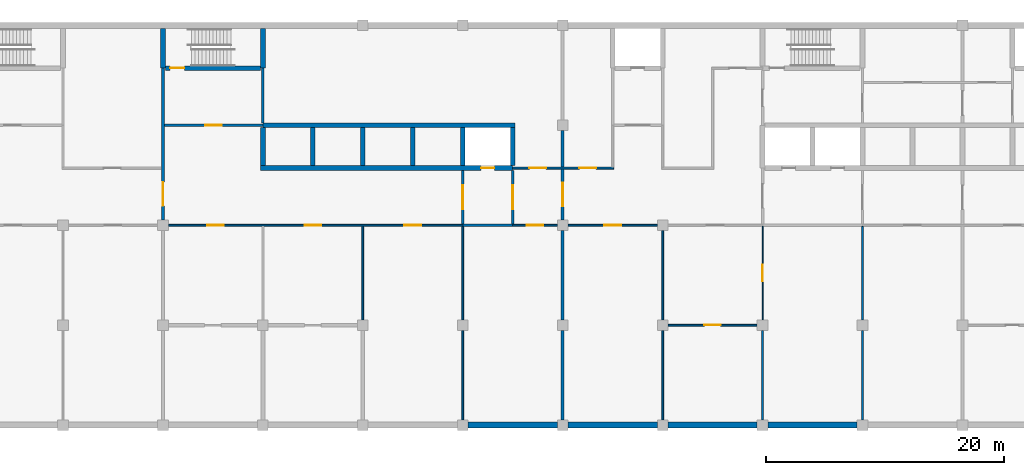
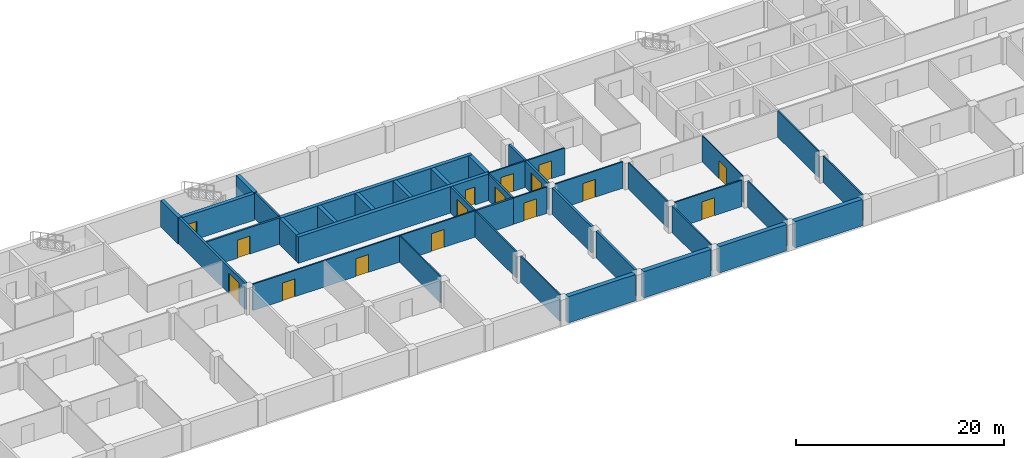
# One storey, part 4 of 12: 39 walls, 16 doors, 16 openings.
"""IFC4 building model written with IfcOpenShell, lengths in metres."""

from ifc_helpers import new_model, si_unit, direction, frame, frame_2d, origin, place, context, subcontext, project, spatial, rectangle, extrude, material, layer, layer_set, type_object, element, fill, save


model = new_model("IFC4")

# Units and contexts
model_context = context("Model", 3, precision=1e-05, world=origin(), true_north=direction((0.0, 1.0)))
body_context = subcontext(model_context, "Body", "Model", "MODEL_VIEW")
ifc_project = project(units=[si_unit("LENGTHUNIT", "METRE"), si_unit("AREAUNIT", "SQUARE_METRE"), si_unit("VOLUMEUNIT", "CUBIC_METRE"), si_unit("PLANEANGLEUNIT", "RADIAN"), si_unit("MASSUNIT", "GRAM", prefix="KILO")], contexts=[model_context])

# Site, building, storey
site_placement = place(None, origin())
site = spatial("IfcSite", under=ifc_project, at=site_placement, CompositionType="ELEMENT")
building_placement = place(site_placement, origin())
building = spatial("IfcBuilding", under=site, at=building_placement, Name="Yavir Park General Hospital", CompositionType="ELEMENT")
storey_placement = place(building_placement, frame((0.0, 0.0, -7.800048828125)))
storey = spatial("IfcBuildingStorey", under=building, at=storey_placement, Name="B2", CompositionType="ELEMENT", Elevation=-7.800048828125)

# Wall, opening, door
ifc_material_1 = material(Name="Concrete C30/37", Category="concrete")
ifc_layer_1 = layer(ifc_material_1, 0.25)
ifc_layer_set_1 = layer_set([ifc_layer_1], Name="Concrete C30/37")
wall_type_1 = type_object("IfcWallType", Name="Compartment fire wall 250, REI 150", PredefinedType="SOLIDWALL", material=ifc_layer_set_1)
wall_1_placement = place(storey_placement, frame((67.199951171875, 17.25, 0.0), z_axis=(0.0, 0.0, 1.0), x_axis=(0.0, 1.0, 0.0)))
wall_1 = element("IfcWall", 1, at=wall_1_placement, inside=storey, type_object=wall_type_1, Name="FW25 B2-091", PredefinedType="SOLIDWALL", context=body_context, shape_type="SweptSolid", body=[
    extrude(rectangle(XDim=12.75, YDim=0.25, at=frame_2d((6.375, 0.0))), origin(), (0.0, 0.0, 1.0), 3.10009765625),
])
opening_1_placement = place(wall_1_placement, frame((1.175048828125, 0.0, 0.0)))
opening_1 = element("IfcOpeningElement", 2, at=opening_1_placement, cuts=wall_1, Name="Opening B2.D060", PredefinedType="OPENING", context=body_context, shape_type="SweptSolid", body=[
    extrude(rectangle(XDim=2.0, YDim=2.39990234375, at=frame_2d((1.0, 1.199951171875))), frame((0.0, 0.135009765625, 0.0), z_axis=(0.0, -1.0, 0.0), x_axis=(1.0, 0.0, 0.0)), (0.0, 0.0, 1.0), 0.27001953125),
])
ifc_material_2 = material(Name="Steel frame, fire-resisting leaves with vision panels", Category="steel")
door_type_1 = type_object("IfcDoorType", Name="Double fire door with vision panels 2000 x 2400, EI 60", OperationType="DOUBLE_DOOR_SINGLE_SWING", PredefinedType="DOOR", material=ifc_material_2)
door_1_placement = place(opening_1_placement, origin())
door_1 = element("IfcDoor", 3, at=door_1_placement, inside=storey, type_object=door_type_1, Name="B2.D060", OperationType="SINGLE_SWING_LEFT", OverallHeight=2.39990234375, OverallWidth=2.0, PredefinedType="DOOR", context=body_context, shape_type="SweptSolid", body=[
    extrude(rectangle(XDim=2.0, YDim=2.39990234375, at=frame_2d((1.0, 1.199951171875))), frame((0.0, 0.030029296875, 0.0), z_axis=(0.0, -1.0, 0.0), x_axis=(1.0, 0.0, 0.0)), (0.0, 0.0, 1.0), 0.06005859375),
])
fill(opening_1, door_1)

# Walls
for number, where, z_axis, x_axis, name in (
    (4, (100.800048828125, 0.449951171875, 0.0), (0.0, 0.0, 1.0), (0.0, 1.0, 0.0), "FW25 B2-109"),
    (5, (100.800048828125, 8.85009765625, 0.0), (0.0, 0.0, 1.0), (0.0, 1.0, 0.0), "FW25 B2-110"),
):
    element("IfcWall", number, at=place(storey_placement, frame(where, z_axis=z_axis, x_axis=x_axis)), inside=storey, type_object=wall_type_1, Name=name, PredefinedType="SOLIDWALL", context=body_context, shape_type="SweptSolid", body=[
        extrude(rectangle(XDim=7.5, YDim=0.25, at=frame_2d((3.75, 0.0))), origin(), (0.0, 0.0, 1.0), 3.10009765625),
    ])

# Wall, opening, door
wall_2_placement = place(storey_placement, frame((100.800048828125, 17.25, 0.0), z_axis=(0.0, 0.0, 1.0), x_axis=(0.0, 1.0, 0.0)))
wall_2 = element("IfcWall", 6, at=wall_2_placement, inside=storey, type_object=wall_type_1, Name="FW25 B2-111", PredefinedType="SOLIDWALL", context=body_context, shape_type="SweptSolid", body=[
    extrude(rectangle(XDim=4.27490234375, YDim=0.25, at=frame_2d((2.137451171875, 0.0))), origin(), (0.0, 0.0, 1.0), 3.10009765625),
])
opening_2_placement = place(wall_2_placement, frame((1.137451171875, 0.0, 0.0)))
opening_2 = element("IfcOpeningElement", 7, at=opening_2_placement, cuts=wall_2, Name="Opening B2.D063", PredefinedType="OPENING", context=body_context, shape_type="SweptSolid", body=[
    extrude(rectangle(XDim=2.0, YDim=2.39990234375, at=frame_2d((1.0, 1.199951171875))), frame((0.0, 0.135009765625, 0.0), z_axis=(0.0, -1.0, 0.0), x_axis=(1.0, 0.0, 0.0)), (0.0, 0.0, 1.0), 0.27001953125),
])
door_2_placement = place(opening_2_placement, origin())
door_2 = element("IfcDoor", 8, at=door_2_placement, inside=storey, type_object=door_type_1, Name="B2.D063", OperationType="SINGLE_SWING_LEFT", OverallHeight=2.39990234375, OverallWidth=2.0, PredefinedType="DOOR", context=body_context, shape_type="SweptSolid", body=[
    extrude(rectangle(XDim=2.0, YDim=2.39990234375, at=frame_2d((1.0, 1.199951171875))), frame((0.0, 0.030029296875, 0.0), z_axis=(0.0, -1.0, 0.0), x_axis=(1.0, 0.0, 0.0)), (0.0, 0.0, 1.0), 0.06005859375),
])
fill(opening_2, door_2)

# Walls
wall_3_placement = place(storey_placement, frame((100.800048828125, 21.675048828125, 0.0), z_axis=(0.0, 0.0, 1.0), x_axis=(0.0, 1.0, 0.0)))
element("IfcWall", 9, at=wall_3_placement, inside=storey, type_object=wall_type_1, Name="FW25 B2-112", PredefinedType="SOLIDWALL", context=body_context, shape_type="SweptSolid", body=[
    extrude(rectangle(XDim=3.074951171875, YDim=0.25, at=frame_2d((1.53759765625, 0.0))), origin(), (0.0, 0.0, 1.0), 3.10009765625),
])
ifc_material_3 = material(Name="Double gypsum board fire partition on steel studs", Category="steel")
ifc_layer_2 = layer(ifc_material_3, 0.199951171875)
ifc_layer_set_2 = layer_set([ifc_layer_2], Name="Double gypsum board fire partition on steel studs")
wall_type_2 = type_object("IfcWallType", Name="Fire-rated partition 200, EI 60", PredefinedType="PARTITIONING", material=ifc_layer_set_2)
wall_4_placement = place(storey_placement, frame((92.39990234375, 16.800048828125, 0.0), z_axis=(0.0, 0.0, 1.0), x_axis=(1.0, 0.0, 0.0)))
element("IfcWall", 10, at=wall_4_placement, inside=storey, type_object=wall_type_2, Name="FP20 B2-020", PredefinedType="PARTITIONING", context=body_context, shape_type="SweptSolid", body=[
    extrude(rectangle(XDim=4.2001953125, YDim=0.199951171875, at=frame_2d((2.10009765625, 0.0))), origin(), (0.0, 0.0, 1.0), 3.10009765625),
])

# Wall, opening, door
wall_5_placement = place(storey_placement, frame((67.324951171875, 25.199951171875, 0.0), z_axis=(0.0, 0.0, 1.0), x_axis=(1.0, 0.0, 0.0)))
wall_5 = element("IfcWall", 11, at=wall_5_placement, inside=storey, type_object=wall_type_2, Name="FP20 B2-041", PredefinedType="PARTITIONING", context=body_context, shape_type="SweptSolid", body=[
    extrude(rectangle(XDim=8.275146484375, YDim=0.199951171875, at=frame_2d((4.1376953125, 0.0))), origin(), (0.0, 0.0, 1.0), 3.10009765625),
])
opening_3_placement = place(wall_5_placement, frame((3.4375, 0.0, 0.0)))
opening_3 = element("IfcOpeningElement", 12, at=opening_3_placement, cuts=wall_5, Name="Opening B2.D042", PredefinedType="OPENING", context=body_context, shape_type="SweptSolid", body=[
    extrude(rectangle(XDim=1.39990234375, YDim=2.10009765625, at=frame_2d((0.699951171875, 1.050048828125))), frame((0.0, 0.10986328125, 0.0), z_axis=(0.0, -1.0, 0.0), x_axis=(1.0, 0.0, 0.0)), (0.0, 0.0, 1.0), 0.219970703125),
])
ifc_material_4 = material(Name="Steel frame, fire-resisting leaves with vision panels", Category="steel")
door_type_2 = type_object("IfcDoorType", Name="Double fire door with vision panels 1400 x 2100, EI 60", OperationType="DOUBLE_DOOR_SINGLE_SWING", PredefinedType="DOOR", material=ifc_material_4)
door_3_placement = place(opening_3_placement, origin())
door_3 = element("IfcDoor", 13, at=door_3_placement, inside=storey, type_object=door_type_2, Name="B2.D042", OperationType="SINGLE_SWING_LEFT", OverallHeight=2.10009765625, OverallWidth=1.39990234375, PredefinedType="DOOR", context=body_context, shape_type="SweptSolid", body=[
    extrude(rectangle(XDim=1.39990234375, YDim=2.10009765625, at=frame_2d((0.699951171875, 1.050048828125))), frame((0.0, 0.030029296875, 0.0), z_axis=(0.0, -1.0, 0.0), x_axis=(1.0, 0.0, 0.0)), (0.0, 0.0, 1.0), 0.06005859375),
])
fill(opening_3, door_3)

# Wall
wall_6_placement = place(storey_placement, frame((75.60009765625, 25.39990234375, 0.0), z_axis=(0.0, 0.0, 1.0), x_axis=(0.0, 1.0, 0.0)))
element("IfcWall", 14, at=wall_6_placement, inside=storey, type_object=wall_type_2, Name="FP20 B2-096", PredefinedType="PARTITIONING", context=body_context, shape_type="SweptSolid", body=[
    extrude(rectangle(XDim=4.60009765625, YDim=0.199951171875, at=frame_2d((2.300048828125, 0.0))), origin(), (0.0, 0.0, 1.0), 3.10009765625),
])

# Wall, opening, door
wall_7_placement = place(storey_placement, frame((92.39990234375, 16.89990234375, 0.0), z_axis=(0.0, 0.0, 1.0), x_axis=(0.0, 1.0, 0.0)))
wall_7 = element("IfcWall", 15, at=wall_7_placement, inside=storey, type_object=wall_type_2, Name="FP20 B2-105", PredefinedType="PARTITIONING", context=body_context, shape_type="SweptSolid", body=[
    extrude(rectangle(XDim=4.5, YDim=0.199951171875, at=frame_2d((2.25, 0.0))), origin(), (0.0, 0.0, 1.0), 3.10009765625),
])
opening_4_placement = place(wall_7_placement, frame((1.25, 0.0, 0.0)))
opening_4 = element("IfcOpeningElement", 16, at=opening_4_placement, cuts=wall_7, Name="Opening B2.D061", PredefinedType="OPENING", context=body_context, shape_type="SweptSolid", body=[
    extrude(rectangle(XDim=2.0, YDim=2.39990234375, at=frame_2d((1.0, 1.199951171875))), frame((0.0, 0.10986328125, 0.0), z_axis=(0.0, -1.0, 0.0), x_axis=(1.0, 0.0, 0.0)), (0.0, 0.0, 1.0), 0.219970703125),
])
door_4_placement = place(opening_4_placement, origin())
door_4 = element("IfcDoor", 17, at=door_4_placement, inside=storey, type_object=door_type_1, Name="B2.D061", OperationType="SINGLE_SWING_LEFT", OverallHeight=2.39990234375, OverallWidth=2.0, PredefinedType="DOOR", context=body_context, shape_type="SweptSolid", body=[
    extrude(rectangle(XDim=2.0, YDim=2.39990234375, at=frame_2d((1.0, 1.199951171875))), frame((0.0, 0.030029296875, 0.0), z_axis=(0.0, -1.0, 0.0), x_axis=(1.0, 0.0, 0.0)), (0.0, 0.0, 1.0), 0.06005859375),
])
fill(opening_4, door_4)

wall_8_placement = place(storey_placement, frame((96.60009765625, 16.89990234375, 0.0), z_axis=(0.0, 0.0, 1.0), x_axis=(0.0, 1.0, 0.0)))
wall_8 = element("IfcWall", 18, at=wall_8_placement, inside=storey, type_object=wall_type_2, Name="FP20 B2-107", PredefinedType="PARTITIONING", context=body_context, shape_type="SweptSolid", body=[
    extrude(rectangle(XDim=4.5, YDim=0.199951171875, at=frame_2d((2.25, 0.0))), origin(), (0.0, 0.0, 1.0), 3.10009765625),
])
opening_5_placement = place(wall_8_placement, frame((1.25, 0.0, 0.0)))
opening_5 = element("IfcOpeningElement", 19, at=opening_5_placement, cuts=wall_8, Name="Opening B2.D062", PredefinedType="OPENING", context=body_context, shape_type="SweptSolid", body=[
    extrude(rectangle(XDim=2.0, YDim=2.39990234375, at=frame_2d((1.0, 1.199951171875))), frame((0.0, 0.10986328125, 0.0), z_axis=(0.0, -1.0, 0.0), x_axis=(1.0, 0.0, 0.0)), (0.0, 0.0, 1.0), 0.219970703125),
])
door_5_placement = place(opening_5_placement, origin())
door_5 = element("IfcDoor", 20, at=door_5_placement, inside=storey, type_object=door_type_1, Name="B2.D062", OperationType="SINGLE_SWING_LEFT", OverallHeight=2.39990234375, OverallWidth=2.0, PredefinedType="DOOR", context=body_context, shape_type="SweptSolid", body=[
    extrude(rectangle(XDim=2.0, YDim=2.39990234375, at=frame_2d((1.0, 1.199951171875))), frame((0.0, 0.030029296875, 0.0), z_axis=(0.0, -1.0, 0.0), x_axis=(1.0, 0.0, 0.0)), (0.0, 0.0, 1.0), 0.06005859375),
])
fill(opening_5, door_5)

ifc_material_5 = material(Name="Gypsum board partition on steel studs", Category="steel")
ifc_layer_3 = layer(ifc_material_5, 0.10009765625)
ifc_layer_set_3 = layer_set([ifc_layer_3], Name="Gypsum board partition on steel studs")
wall_type_3 = type_object("IfcWallType", Name="Gypsum board partition 100", PredefinedType="PARTITIONING", material=ifc_layer_set_3)
wall_9_placement = place(storey_placement, frame((117.60009765625, 8.85009765625, 0.0), z_axis=(0.0, 0.0, 1.0), x_axis=(0.0, 1.0, 0.0)))
wall_9 = element("IfcWall", 21, at=wall_9_placement, inside=storey, type_object=wall_type_3, Name="P10 B2-124", PredefinedType="PARTITIONING", context=body_context, shape_type="SweptSolid", body=[
    extrude(rectangle(XDim=7.849853515625, YDim=0.10009765625, at=frame_2d((3.9248046875, 0.0))), origin(), (0.0, 0.0, 1.0), 3.10009765625),
])
opening_6_placement = place(wall_9_placement, frame((3.22509765625, 0.0, 0.0)))
opening_6 = element("IfcOpeningElement", 22, at=opening_6_placement, cuts=wall_9, Name="Opening B2.D064", PredefinedType="OPENING", context=body_context, shape_type="SweptSolid", body=[
    extrude(rectangle(XDim=1.39990234375, YDim=2.10009765625, at=frame_2d((0.699951171875, 1.050048828125))), frame((0.0, 0.06005859375, 0.0), z_axis=(0.0, -1.0, 0.0), x_axis=(1.0, 0.0, 0.0)), (0.0, 0.0, 1.0), 0.1201171875),
])
ifc_material_6 = material(Name="Hollow metal frame, solid-core timber leaf", Category="wood")
door_type_3 = type_object("IfcDoorType", Name="Double swing door 1400 x 2100", OperationType="DOUBLE_DOOR_SINGLE_SWING", PredefinedType="DOOR", material=ifc_material_6)
door_6_placement = place(opening_6_placement, origin())
door_6 = element("IfcDoor", 23, at=door_6_placement, inside=storey, type_object=door_type_3, Name="B2.D064", OperationType="SINGLE_SWING_LEFT", OverallHeight=2.10009765625, OverallWidth=1.39990234375, PredefinedType="DOOR", context=body_context, shape_type="SweptSolid", body=[
    extrude(rectangle(XDim=1.39990234375, YDim=2.10009765625, at=frame_2d((0.699951171875, 1.050048828125))), frame((0.0, 0.02490234375, 0.0), z_axis=(0.0, -1.0, 0.0), x_axis=(1.0, 0.0, 0.0)), (0.0, 0.0, 1.0), 0.050048828125),
])
fill(opening_6, door_6)

ifc_material_7 = material(Name="Gypsum board partition on steel studs", Category="steel")
ifc_layer_4 = layer(ifc_material_7, 0.14990234375)
ifc_layer_set_4 = layer_set([ifc_layer_4], Name="Gypsum board partition on steel studs")
wall_type_4 = type_object("IfcWallType", Name="Gypsum board partition 150", PredefinedType="PARTITIONING", material=ifc_layer_set_4)
wall_10_placement = place(storey_placement, frame((109.64990234375, 8.39990234375, 0.0), z_axis=(0.0, 0.0, 1.0), x_axis=(1.0, 0.0, 0.0)))
wall_10 = element("IfcWall", 24, at=wall_10_placement, inside=storey, type_object=wall_type_4, Name="P15 B2-007", PredefinedType="PARTITIONING", context=body_context, shape_type="SweptSolid", body=[
    extrude(rectangle(XDim=7.5, YDim=0.14990234375, at=frame_2d((3.75, 0.0))), origin(), (0.0, 0.0, 1.0), 3.10009765625),
])
opening_7_placement = place(wall_10_placement, frame((3.050048828125, 0.0, 0.0)))
opening_7 = element("IfcOpeningElement", 25, at=opening_7_placement, cuts=wall_10, Name="Opening B2.D007", PredefinedType="OPENING", context=body_context, shape_type="SweptSolid", body=[
    extrude(rectangle(XDim=1.39990234375, YDim=2.10009765625, at=frame_2d((0.699951171875, 1.050048828125))), frame((0.0, 0.0849609375, 0.0), z_axis=(0.0, -1.0, 0.0), x_axis=(1.0, 0.0, 0.0)), (0.0, 0.0, 1.0), 0.169921875),
])
door_7_placement = place(opening_7_placement, origin())
door_7 = element("IfcDoor", 26, at=door_7_placement, inside=storey, type_object=door_type_3, Name="B2.D007", OperationType="SINGLE_SWING_RIGHT", OverallHeight=2.10009765625, OverallWidth=1.39990234375, PredefinedType="DOOR", context=body_context, shape_type="SweptSolid", body=[
    extrude(rectangle(XDim=1.39990234375, YDim=2.10009765625, at=frame_2d((0.699951171875, 1.050048828125))), frame((0.0, 0.02490234375, 0.0), z_axis=(0.0, -1.0, 0.0), x_axis=(1.0, 0.0, 0.0)), (0.0, 0.0, 1.0), 0.050048828125),
])
fill(opening_7, door_7)

# Wall, openings, doors
wall_11_placement = place(storey_placement, frame((67.64990234375, 16.800048828125, 0.0), z_axis=(0.0, 0.0, 1.0), x_axis=(1.0, 0.0, 0.0)))
wall_11 = element("IfcWall", 27, at=wall_11_placement, inside=storey, type_object=wall_type_4, Name="P15 B2-019", PredefinedType="PARTITIONING", context=body_context, shape_type="SweptSolid", body=[
    extrude(rectangle(XDim=24.75, YDim=0.14990234375, at=frame_2d((12.375, 0.0))), origin(), (0.0, 0.0, 1.0), 3.10009765625),
])
opening_8_placement = place(wall_11_placement, frame((3.27490234375, 0.0, 0.0)))
opening_8 = element("IfcOpeningElement", 28, at=opening_8_placement, cuts=wall_11, Name="Opening B2.D018", PredefinedType="OPENING", context=body_context, shape_type="SweptSolid", body=[
    extrude(rectangle(XDim=1.39990234375, YDim=2.10009765625, at=frame_2d((0.699951171875, 1.050048828125))), frame((0.0, 0.0849609375, 0.0), z_axis=(0.0, -1.0, 0.0), x_axis=(1.0, 0.0, 0.0)), (0.0, 0.0, 1.0), 0.169921875),
])
opening_9_placement = place(wall_11_placement, frame((11.449951171875, 0.0, 0.0)))
opening_9 = element("IfcOpeningElement", 29, at=opening_9_placement, cuts=wall_11, Name="Opening B2.D019", PredefinedType="OPENING", context=body_context, shape_type="SweptSolid", body=[
    extrude(rectangle(XDim=1.39990234375, YDim=2.10009765625, at=frame_2d((0.699951171875, 1.050048828125))), frame((0.0, 0.0849609375, 0.0), z_axis=(0.0, -1.0, 0.0), x_axis=(1.0, 0.0, 0.0)), (0.0, 0.0, 1.0), 0.169921875),
])
opening_10_placement = place(wall_11_placement, frame((19.85009765625, 0.0, 0.0)))
opening_10 = element("IfcOpeningElement", 30, at=opening_10_placement, cuts=wall_11, Name="Opening B2.D020", PredefinedType="OPENING", context=body_context, shape_type="SweptSolid", body=[
    extrude(rectangle(XDim=1.39990234375, YDim=2.10009765625, at=frame_2d((0.699951171875, 1.050048828125))), frame((0.0, 0.0849609375, 0.0), z_axis=(0.0, -1.0, 0.0), x_axis=(1.0, 0.0, 0.0)), (0.0, 0.0, 1.0), 0.169921875),
])
door_8_placement = place(opening_8_placement, origin())
door_8 = element("IfcDoor", 31, at=door_8_placement, inside=storey, type_object=door_type_3, Name="B2.D018", OperationType="SINGLE_SWING_RIGHT", OverallHeight=2.10009765625, OverallWidth=1.39990234375, PredefinedType="DOOR", context=body_context, shape_type="SweptSolid", body=[
    extrude(rectangle(XDim=1.39990234375, YDim=2.10009765625, at=frame_2d((0.699951171875, 1.050048828125))), frame((0.0, 0.02490234375, 0.0), z_axis=(0.0, -1.0, 0.0), x_axis=(1.0, 0.0, 0.0)), (0.0, 0.0, 1.0), 0.050048828125),
])
fill(opening_8, door_8)
door_9_placement = place(opening_9_placement, origin())
door_9 = element("IfcDoor", 32, at=door_9_placement, inside=storey, type_object=door_type_3, Name="B2.D019", OperationType="SINGLE_SWING_LEFT", OverallHeight=2.10009765625, OverallWidth=1.39990234375, PredefinedType="DOOR", context=body_context, shape_type="SweptSolid", body=[
    extrude(rectangle(XDim=1.39990234375, YDim=2.10009765625, at=frame_2d((0.699951171875, 1.050048828125))), frame((0.0, 0.02490234375, 0.0), z_axis=(0.0, -1.0, 0.0), x_axis=(1.0, 0.0, 0.0)), (0.0, 0.0, 1.0), 0.050048828125),
])
fill(opening_9, door_9)
door_10_placement = place(opening_10_placement, origin())
door_10 = element("IfcDoor", 33, at=door_10_placement, inside=storey, type_object=door_type_3, Name="B2.D020", OperationType="SINGLE_SWING_LEFT", OverallHeight=2.10009765625, OverallWidth=1.39990234375, PredefinedType="DOOR", context=body_context, shape_type="SweptSolid", body=[
    extrude(rectangle(XDim=1.39990234375, YDim=2.10009765625, at=frame_2d((0.699951171875, 1.050048828125))), frame((0.0, 0.02490234375, 0.0), z_axis=(0.0, -1.0, 0.0), x_axis=(1.0, 0.0, 0.0)), (0.0, 0.0, 1.0), 0.050048828125),
])
fill(opening_10, door_10)

# Wall, opening, door
wall_12_placement = place(storey_placement, frame((96.60009765625, 16.800048828125, 0.0), z_axis=(0.0, 0.0, 1.0), x_axis=(1.0, 0.0, 0.0)))
wall_12 = element("IfcWall", 34, at=wall_12_placement, inside=storey, type_object=wall_type_4, Name="P15 B2-021", PredefinedType="PARTITIONING", context=body_context, shape_type="SweptSolid", body=[
    extrude(rectangle(XDim=3.75, YDim=0.14990234375, at=frame_2d((1.875, 0.0))), origin(), (0.0, 0.0, 1.0), 3.10009765625),
])
opening_11_placement = place(wall_12_placement, frame((1.175048828125, 0.0, 0.0)))
opening_11 = element("IfcOpeningElement", 35, at=opening_11_placement, cuts=wall_12, Name="Opening B2.D021", PredefinedType="OPENING", context=body_context, shape_type="SweptSolid", body=[
    extrude(rectangle(XDim=1.39990234375, YDim=2.10009765625, at=frame_2d((0.699951171875, 1.050048828125))), frame((0.0, 0.0849609375, 0.0), z_axis=(0.0, -1.0, 0.0), x_axis=(1.0, 0.0, 0.0)), (0.0, 0.0, 1.0), 0.169921875),
])
door_11_placement = place(opening_11_placement, origin())
door_11 = element("IfcDoor", 36, at=door_11_placement, inside=storey, type_object=door_type_3, Name="B2.D021", OperationType="SINGLE_SWING_RIGHT", OverallHeight=2.10009765625, OverallWidth=1.39990234375, PredefinedType="DOOR", context=body_context, shape_type="SweptSolid", body=[
    extrude(rectangle(XDim=1.39990234375, YDim=2.10009765625, at=frame_2d((0.699951171875, 1.050048828125))), frame((0.0, 0.02490234375, 0.0), z_axis=(0.0, -1.0, 0.0), x_axis=(1.0, 0.0, 0.0)), (0.0, 0.0, 1.0), 0.050048828125),
])
fill(opening_11, door_11)

wall_13_placement = place(storey_placement, frame((101.25, 16.800048828125, 0.0), z_axis=(0.0, 0.0, 1.0), x_axis=(1.0, 0.0, 0.0)))
wall_13 = element("IfcWall", 37, at=wall_13_placement, inside=storey, type_object=wall_type_4, Name="P15 B2-022", PredefinedType="PARTITIONING", context=body_context, shape_type="SweptSolid", body=[
    extrude(rectangle(XDim=7.5, YDim=0.14990234375, at=frame_2d((3.75, 0.0))), origin(), (0.0, 0.0, 1.0), 3.10009765625),
])
opening_12_placement = place(wall_13_placement, frame((3.050048828125, 0.0, 0.0)))
opening_12 = element("IfcOpeningElement", 38, at=opening_12_placement, cuts=wall_13, Name="Opening B2.D022", PredefinedType="OPENING", context=body_context, shape_type="SweptSolid", body=[
    extrude(rectangle(XDim=1.39990234375, YDim=2.10009765625, at=frame_2d((0.699951171875, 1.050048828125))), frame((0.0, 0.0849609375, 0.0), z_axis=(0.0, -1.0, 0.0), x_axis=(1.0, 0.0, 0.0)), (0.0, 0.0, 1.0), 0.169921875),
])
door_12_placement = place(opening_12_placement, origin())
door_12 = element("IfcDoor", 39, at=door_12_placement, inside=storey, type_object=door_type_3, Name="B2.D022", OperationType="SINGLE_SWING_LEFT", OverallHeight=2.10009765625, OverallWidth=1.39990234375, PredefinedType="DOOR", context=body_context, shape_type="SweptSolid", body=[
    extrude(rectangle(XDim=1.39990234375, YDim=2.10009765625, at=frame_2d((0.699951171875, 1.050048828125))), frame((0.0, 0.02490234375, 0.0), z_axis=(0.0, -1.0, 0.0), x_axis=(1.0, 0.0, 0.0)), (0.0, 0.0, 1.0), 0.050048828125),
])
fill(opening_12, door_12)

# Wall, openings, doors
wall_14_placement = place(storey_placement, frame((96.60009765625, 21.60009765625, 0.0), z_axis=(0.0, 0.0, 1.0), x_axis=(1.0, 0.0, 0.0)))
wall_14 = element("IfcWall", 40, at=wall_14_placement, inside=storey, type_object=wall_type_4, Name="P15 B2-033", PredefinedType="PARTITIONING", context=body_context, shape_type="SweptSolid", body=[
    extrude(rectangle(XDim=8.474853515625, YDim=0.14990234375, at=frame_2d((4.2373046875, 0.0))), origin(), (0.0, 0.0, 1.0), 3.10009765625),
])
opening_13_placement = place(wall_14_placement, frame((1.39990234375, 0.0, 0.0)))
opening_13 = element("IfcOpeningElement", 41, at=opening_13_placement, cuts=wall_14, Name="Opening B2.D035", PredefinedType="OPENING", context=body_context, shape_type="SweptSolid", body=[
    extrude(rectangle(XDim=1.39990234375, YDim=2.10009765625, at=frame_2d((0.699951171875, 1.050048828125))), frame((0.0, 0.0849609375, 0.0), z_axis=(0.0, -1.0, 0.0), x_axis=(1.0, 0.0, 0.0)), (0.0, 0.0, 1.0), 0.169921875),
])
opening_14_placement = place(wall_14_placement, frame((5.60009765625, 0.0, 0.0)))
opening_14 = element("IfcOpeningElement", 42, at=opening_14_placement, cuts=wall_14, Name="Opening B2.D036", PredefinedType="OPENING", context=body_context, shape_type="SweptSolid", body=[
    extrude(rectangle(XDim=1.39990234375, YDim=2.10009765625, at=frame_2d((0.699951171875, 1.050048828125))), frame((0.0, 0.0849609375, 0.0), z_axis=(0.0, -1.0, 0.0), x_axis=(1.0, 0.0, 0.0)), (0.0, 0.0, 1.0), 0.169921875),
])
door_13_placement = place(opening_13_placement, origin())
door_13 = element("IfcDoor", 43, at=door_13_placement, inside=storey, type_object=door_type_3, Name="B2.D035", OperationType="SINGLE_SWING_LEFT", OverallHeight=2.10009765625, OverallWidth=1.39990234375, PredefinedType="DOOR", context=body_context, shape_type="SweptSolid", body=[
    extrude(rectangle(XDim=1.39990234375, YDim=2.10009765625, at=frame_2d((0.699951171875, 1.050048828125))), frame((0.0, 0.02490234375, 0.0), z_axis=(0.0, -1.0, 0.0), x_axis=(1.0, 0.0, 0.0)), (0.0, 0.0, 1.0), 0.050048828125),
])
fill(opening_13, door_13)
door_14_placement = place(opening_14_placement, origin())
door_14 = element("IfcDoor", 44, at=door_14_placement, inside=storey, type_object=door_type_3, Name="B2.D036", OperationType="SINGLE_SWING_RIGHT", OverallHeight=2.10009765625, OverallWidth=1.39990234375, PredefinedType="DOOR", context=body_context, shape_type="SweptSolid", body=[
    extrude(rectangle(XDim=1.39990234375, YDim=2.10009765625, at=frame_2d((0.699951171875, 1.050048828125))), frame((0.0, 0.02490234375, 0.0), z_axis=(0.0, -1.0, 0.0), x_axis=(1.0, 0.0, 0.0)), (0.0, 0.0, 1.0), 0.050048828125),
])
fill(opening_14, door_14)

# Walls
wall_15_placement = place(storey_placement, frame((84.0, 8.85009765625, 0.0), z_axis=(0.0, 0.0, 1.0), x_axis=(0.0, 1.0, 0.0)))
element("IfcWall", 45, at=wall_15_placement, inside=storey, type_object=wall_type_4, Name="P15 B2-100", PredefinedType="PARTITIONING", context=body_context, shape_type="SweptSolid", body=[
    extrude(rectangle(XDim=7.875, YDim=0.14990234375, at=frame_2d((3.9375, 0.0))), origin(), (0.0, 0.0, 1.0), 3.10009765625),
])
wall_16_placement = place(storey_placement, frame((92.39990234375, 0.449951171875, 0.0), z_axis=(0.0, 0.0, 1.0), x_axis=(0.0, 1.0, 0.0)))
element("IfcWall", 46, at=wall_16_placement, inside=storey, type_object=wall_type_4, Name="P15 B2-103", PredefinedType="PARTITIONING", context=body_context, shape_type="SweptSolid", body=[
    extrude(rectangle(XDim=7.5, YDim=0.14990234375, at=frame_2d((3.75, 0.0))), origin(), (0.0, 0.0, 1.0), 3.10009765625),
])
wall_17_placement = place(storey_placement, frame((92.39990234375, 8.85009765625, 0.0), z_axis=(0.0, 0.0, 1.0), x_axis=(0.0, 1.0, 0.0)))
element("IfcWall", 47, at=wall_17_placement, inside=storey, type_object=wall_type_4, Name="P15 B2-104", PredefinedType="PARTITIONING", context=body_context, shape_type="SweptSolid", body=[
    extrude(rectangle(XDim=7.849853515625, YDim=0.14990234375, at=frame_2d((3.9248046875, 0.0))), origin(), (0.0, 0.0, 1.0), 3.10009765625),
])
for number, where, z_axis, x_axis, name in (
    (48, (109.199951171875, 0.449951171875, 0.0), (0.0, 0.0, 1.0), (0.0, 1.0, 0.0), "P15 B2-117"),
    (49, (109.199951171875, 8.85009765625, 0.0), (0.0, 0.0, 1.0), (0.0, 1.0, 0.0), "P15 B2-118"),
    (50, (117.60009765625, 0.449951171875, 0.0), (0.0, 0.0, 1.0), (0.0, 1.0, 0.0), "P15 B2-123"),
    (51, (126.0, 0.449951171875, 0.0), (0.0, 0.0, 1.0), (0.0, 1.0, 0.0), "P15 B2-130"),
):
    element("IfcWall", number, at=place(storey_placement, frame(where, z_axis=z_axis, x_axis=x_axis)), inside=storey, type_object=wall_type_4, Name=name, PredefinedType="PARTITIONING", context=body_context, shape_type="SweptSolid", body=[
        extrude(rectangle(XDim=7.5, YDim=0.14990234375, at=frame_2d((3.75, 0.0))), origin(), (0.0, 0.0, 1.0), 3.10009765625),
    ])
wall_18_placement = place(storey_placement, frame((126.0, 8.85009765625, 0.0), z_axis=(0.0, 0.0, 1.0), x_axis=(0.0, 1.0, 0.0)))
element("IfcWall", 52, at=wall_18_placement, inside=storey, type_object=wall_type_4, Name="P15 B2-131", PredefinedType="PARTITIONING", context=body_context, shape_type="SweptSolid", body=[
    extrude(rectangle(XDim=7.849853515625, YDim=0.14990234375, at=frame_2d((3.9248046875, 0.0))), origin(), (0.0, 0.0, 1.0), 3.10009765625),
])
ifc_material_8 = material(Name="Concrete C35/45", Category="concrete")
ifc_layer_5 = layer(ifc_material_8, 0.5)
ifc_layer_set_5 = layer_set([ifc_layer_5], Name="Concrete C35/45")
wall_type_5 = type_object("IfcWallType", Name="RC WALL RETAINING 500", PredefinedType="SOLIDWALL", material=ifc_layer_set_5)
for number, where, z_axis, x_axis, name in (
    (53, (92.85009765625, 0.0, 0.0), (0.0, 0.0, 1.0), (1.0, 0.0, 0.0), "W:RET:B2:S11"),
    (54, (101.25, 0.0, 0.0), (0.0, 0.0, 1.0), (1.0, 0.0, 0.0), "W:RET:B2:S12"),
    (55, (109.64990234375, 0.0, 0.0), (0.0, 0.0, 1.0), (1.0, 0.0, 0.0), "W:RET:B2:S13"),
    (56, (118.050048828125, 0.0, 0.0), (0.0, 0.0, 1.0), (1.0, 0.0, 0.0), "W:RET:B2:S14"),
):
    element("IfcWall", number, at=place(storey_placement, frame(where, z_axis=z_axis, x_axis=x_axis)), inside=storey, type_object=wall_type_5, Name=name, PredefinedType="SOLIDWALL", context=body_context, shape_type="SweptSolid", body=[
        extrude(rectangle(XDim=7.5, YDim=0.5, at=frame_2d((3.75, 0.0))), origin(), (0.0, 0.0, 1.0), 3.10009765625),
    ])

# Wall, opening, door
ifc_material_9 = material(Name="Concrete C35/45", Category="concrete")
ifc_layer_6 = layer(ifc_material_9, 0.39990234375)
ifc_layer_set_6 = layer_set([ifc_layer_6], Name="Concrete C35/45")
wall_type_6 = type_object("IfcWallType", Name="Reinforced concrete core wall 400, REI 150", PredefinedType="SHEAR", material=ifc_layer_set_6)
wall_19_placement = place(storey_placement, frame((75.39990234375, 21.60009765625, 0.0), z_axis=(0.0, 0.0, 1.0), x_axis=(1.0, 0.0, 0.0)))
wall_19 = element("IfcWall", 57, at=wall_19_placement, inside=storey, type_object=wall_type_6, Name="CW40 B2-032", PredefinedType="SHEAR", context=body_context, shape_type="SweptSolid", body=[
    extrude(rectangle(XDim=21.2001953125, YDim=0.39990234375, at=frame_2d((10.60009765625, 0.0))), origin(), (0.0, 0.0, 1.0), 3.10009765625),
])
opening_15_placement = place(wall_19_placement, frame((18.550048828125, 0.0, 0.0)))
opening_15 = element("IfcOpeningElement", 58, at=opening_15_placement, cuts=wall_19, Name="Opening B2.D034", PredefinedType="OPENING", context=body_context, shape_type="SweptSolid", body=[
    extrude(rectangle(XDim=1.10009765625, YDim=2.10009765625, at=frame_2d((0.550048828125, 1.050048828125))), frame((0.0, 0.2099609375, 0.0), z_axis=(0.0, -1.0, 0.0), x_axis=(1.0, 0.0, 0.0)), (0.0, 0.0, 1.0), 0.419921875),
])
ifc_material_10 = material(Name="Stainless steel landing door panels", Category="steel")
door_type_4 = type_object("IfcDoorType", Name="Lift landing door 1100 x 2100, EI 60", OperationType="SLIDING_TO_LEFT", PredefinedType="DOOR", material=ifc_material_10)
door_15_placement = place(opening_15_placement, origin())
door_15 = element("IfcDoor", 59, at=door_15_placement, inside=storey, type_object=door_type_4, Name="B2.D034", OperationType="SLIDING_TO_LEFT", OverallHeight=2.10009765625, OverallWidth=1.10009765625, PredefinedType="DOOR", context=body_context, shape_type="SweptSolid", body=[
    extrude(rectangle(XDim=1.10009765625, YDim=2.10009765625, at=frame_2d((0.550048828125, 1.050048828125))), frame((0.0, 0.02490234375, 0.0), z_axis=(0.0, -1.0, 0.0), x_axis=(1.0, 0.0, 0.0)), (0.0, 0.0, 1.0), 0.050048828125),
])
fill(opening_15, door_15)

# Wall
wall_20_placement = place(storey_placement, frame((75.60009765625, 25.199951171875, 0.0), z_axis=(0.0, 0.0, 1.0), x_axis=(1.0, 0.0, 0.0)))
element("IfcWall", 60, at=wall_20_placement, inside=storey, type_object=wall_type_6, Name="CW40 B2-042", PredefinedType="SHEAR", context=body_context, shape_type="SweptSolid", body=[
    extrude(rectangle(XDim=21.199951171875, YDim=0.39990234375, at=frame_2d((10.60009765625, 0.0))), origin(), (0.0, 0.0, 1.0), 3.10009765625),
])

# Wall, opening, door
wall_21_placement = place(storey_placement, frame((67.39990234375, 30.0, 0.0), z_axis=(0.0, 0.0, 1.0), x_axis=(1.0, 0.0, 0.0)))
wall_21 = element("IfcWall", 61, at=wall_21_placement, inside=storey, type_object=wall_type_6, Name="CW40 B2-049", PredefinedType="SHEAR", context=body_context, shape_type="SweptSolid", body=[
    extrude(rectangle(XDim=8.0, YDim=0.39990234375, at=frame_2d((4.0, 0.0))), origin(), (0.0, 0.0, 1.0), 3.10009765625),
])
opening_16_placement = place(wall_21_placement, frame((0.39990234375, 0.0, 0.0)))
opening_16 = element("IfcOpeningElement", 62, at=opening_16_placement, cuts=wall_21, Name="Opening B2.D049", PredefinedType="OPENING", context=body_context, shape_type="SweptSolid", body=[
    extrude(rectangle(XDim=1.199951171875, YDim=2.10009765625, at=frame_2d((0.60009765625, 1.050048828125))), frame((0.0, 0.2099609375, 0.0), z_axis=(0.0, -1.0, 0.0), x_axis=(1.0, 0.0, 0.0)), (0.0, 0.0, 1.0), 0.419921875),
])
ifc_material_11 = material(Name="Steel frame, fire-resisting timber leaf", Category="steel")
door_type_5 = type_object("IfcDoorType", Name="Fire door 1200 x 2100, EI 60", OperationType="SINGLE_SWING_LEFT", PredefinedType="DOOR", material=ifc_material_11)
door_16_placement = place(opening_16_placement, origin())
door_16 = element("IfcDoor", 63, at=door_16_placement, inside=storey, type_object=door_type_5, Name="B2.D049", OperationType="SINGLE_SWING_RIGHT", OverallHeight=2.10009765625, OverallWidth=1.199951171875, PredefinedType="DOOR", context=body_context, shape_type="SweptSolid", body=[
    extrude(rectangle(XDim=1.199951171875, YDim=2.10009765625, at=frame_2d((0.60009765625, 1.050048828125))), frame((0.0, 0.02490234375, 0.0), z_axis=(0.0, -1.0, 0.0), x_axis=(1.0, 0.0, 0.0)), (0.0, 0.0, 1.0), 0.050048828125),
])
fill(opening_16, door_16)

# Walls
wall_22_placement = place(storey_placement, frame((67.199951171875, 30.0, 0.0), z_axis=(0.0, 0.0, 1.0), x_axis=(0.0, 1.0, 0.0)))
element("IfcWall", 64, at=wall_22_placement, inside=storey, type_object=wall_type_6, Name="CW40 B2-092", PredefinedType="SHEAR", context=body_context, shape_type="SweptSolid", body=[
    extrude(rectangle(XDim=3.35009765625, YDim=0.39990234375, at=frame_2d((1.675048828125, 0.0))), origin(), (0.0, 0.0, 1.0), 3.10009765625),
])
wall_23_placement = place(storey_placement, frame((75.60009765625, 21.800048828125, 0.0), z_axis=(0.0, 0.0, 1.0), x_axis=(0.0, 1.0, 0.0)))
element("IfcWall", 65, at=wall_23_placement, inside=storey, type_object=wall_type_6, Name="CW40 B2-095", PredefinedType="SHEAR", context=body_context, shape_type="SweptSolid", body=[
    extrude(rectangle(XDim=3.199951171875, YDim=0.39990234375, at=frame_2d((1.60009765625, 0.0))), origin(), (0.0, 0.0, 1.0), 3.10009765625),
])
wall_24_placement = place(storey_placement, frame((75.60009765625, 30.0, 0.0), z_axis=(0.0, 0.0, 1.0), x_axis=(0.0, 1.0, 0.0)))
element("IfcWall", 66, at=wall_24_placement, inside=storey, type_object=wall_type_6, Name="CW40 B2-097", PredefinedType="SHEAR", context=body_context, shape_type="SweptSolid", body=[
    extrude(rectangle(XDim=3.35009765625, YDim=0.39990234375, at=frame_2d((1.675048828125, 0.0))), origin(), (0.0, 0.0, 1.0), 3.10009765625),
])
for number, where, z_axis, x_axis, name in (
    (67, (79.800048828125, 21.800048828125, 0.0), (0.0, 0.0, 1.0), (0.0, 1.0, 0.0), "CW40 B2-098"),
    (68, (84.0, 21.800048828125, 0.0), (0.0, 0.0, 1.0), (0.0, 1.0, 0.0), "CW40 B2-101"),
    (69, (88.199951171875, 21.800048828125, 0.0), (0.0, 0.0, 1.0), (0.0, 1.0, 0.0), "CW40 B2-102"),
    (70, (92.39990234375, 21.800048828125, 0.0), (0.0, 0.0, 1.0), (0.0, 1.0, 0.0), "CW40 B2-106"),
    (71, (96.60009765625, 21.800048828125, 0.0), (0.0, 0.0, 1.0), (0.0, 1.0, 0.0), "CW40 B2-108"),
):
    element("IfcWall", number, at=place(storey_placement, frame(where, z_axis=z_axis, x_axis=x_axis)), inside=storey, type_object=wall_type_6, Name=name, PredefinedType="SHEAR", context=body_context, shape_type="SweptSolid", body=[
        extrude(rectangle(XDim=3.199951171875, YDim=0.39990234375, at=frame_2d((1.60009765625, 0.0))), origin(), (0.0, 0.0, 1.0), 3.10009765625),
    ])

save(model, "model.ifc")
